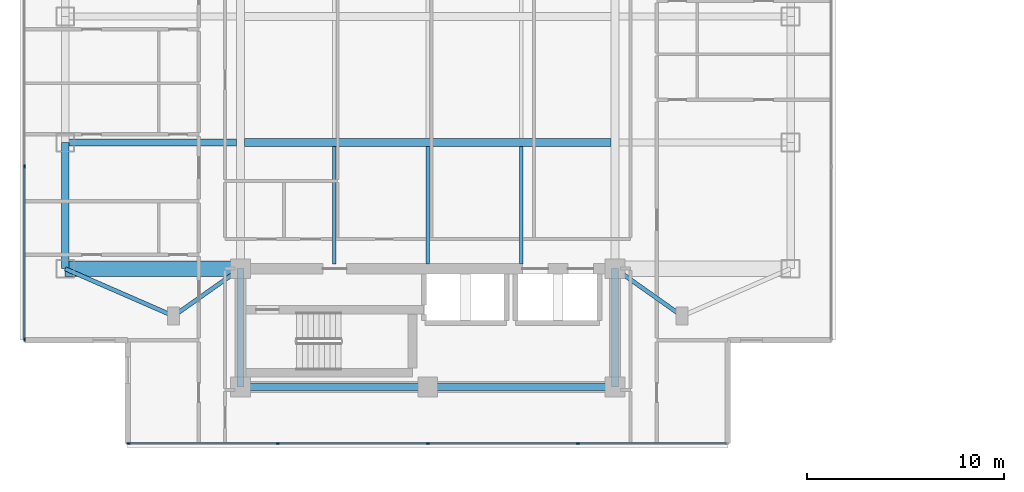
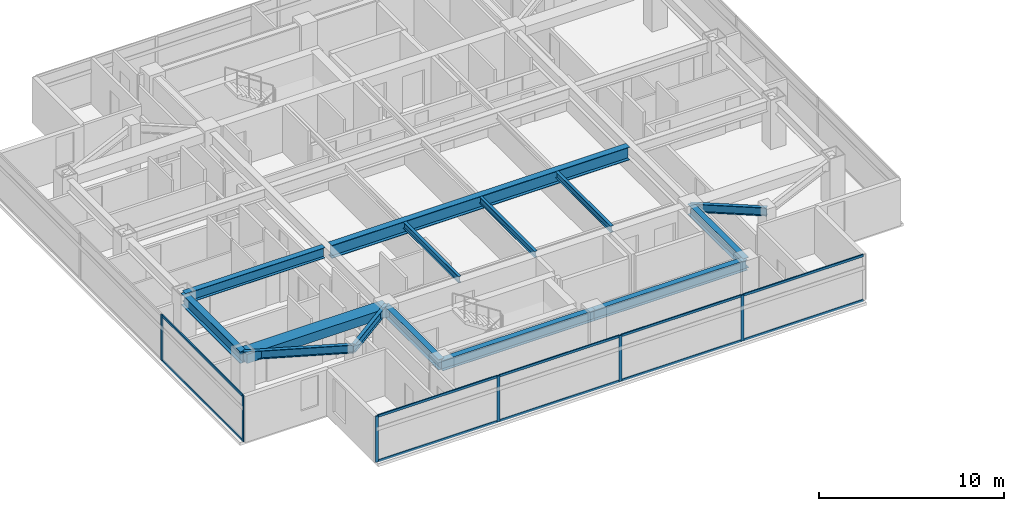
# One storey, part 2 of 24: 16 members, 14 beams, 2 elements without a shape of their own.
"""IFC4 building model written with IfcOpenShell, lengths in metres."""

from ifc_helpers import new_model, si_unit, direction, frame, origin, origin_2d, place, context, subcontext, project, spatial, rectangle, i_section, extrude, material, material_profile, profile_set, type_object, element, aggregate, save


model = new_model("IFC4")

# Units and contexts
model_context = context("Model", 3, precision=1e-05, world=origin(), true_north=direction((0.0, 1.0)))
body_context = subcontext(model_context, "Body", "Model", "MODEL_VIEW")
ifc_project = project(units=[si_unit("LENGTHUNIT", "METRE"), si_unit("AREAUNIT", "SQUARE_METRE"), si_unit("VOLUMEUNIT", "CUBIC_METRE"), si_unit("PLANEANGLEUNIT", "RADIAN"), si_unit("MASSUNIT", "GRAM", prefix="KILO")], contexts=[model_context])

# Site, building, storey
site_placement = place(None, origin())
site = spatial("IfcSite", under=ifc_project, at=site_placement, CompositionType="ELEMENT")
building_placement = place(site_placement, origin())
building = spatial("IfcBuilding", under=site, at=building_placement, Name="Mirazonda Arch Towers", CompositionType="ELEMENT")
storey_placement = place(building_placement, frame((0.0, 0.0, 164.14990234375)))
storey = spatial("IfcBuildingStorey", under=building, at=storey_placement, Name="L46", CompositionType="ELEMENT", Elevation=164.14990234375)

# Beams
ifc_material_1 = material(Name="Steel ASTM A992 Grade 50", Category="steel")
ifc_material_profile_1 = material_profile(ifc_material_1, i_section(OverallWidth=0.381103515625, OverallDepth=0.77294921875, WebThickness=0.0166015625, FlangeThickness=0.027099609375, at=origin_2d()), Name="W30X173")
ifc_profile_set_1 = profile_set([ifc_material_profile_1], Name="Steel ASTM A992 Grade 50")
beam_type_1 = type_object("IfcBeamType", Name="BM-EXT-W30X173", PredefinedType="USERDEFINED", material=ifc_profile_set_1)
beam_1_placement = place(storey_placement, frame((2.10009765625, 18.39990234375, 2.66357421875), z_axis=(0.0, 1.0, 0.0), x_axis=(-1.0, 0.0, 0.0)))
element("IfcBeam", 1, at=beam_1_placement, inside=storey, type_object=beam_type_1, Name="L46 Floor Beam BM-T1-L46-NS-W-18", ObjectType="GIRDER", PredefinedType="USERDEFINED", context=body_context, shape_type="SweptSolid", body=[
    extrude(i_section(OverallWidth=0.381103515625, OverallDepth=0.77294921875, WebThickness=0.0166015625, FlangeThickness=0.027099609375, at=origin_2d()), origin(), (0.0, 0.0, 1.0), 6.400146484375),
])
ifc_material_profile_2 = material_profile(ifc_material_1, i_section(OverallWidth=0.180908203125, OverallDepth=0.4169921875, WebThickness=0.010986328125, FlangeThickness=0.018310546875, at=origin_2d()), Name="W16X57")
ifc_profile_set_2 = profile_set([ifc_material_profile_2], Name="Steel ASTM A992 Grade 50")
beam_type_2 = type_object("IfcBeamType", Name="BM-INT-W16X57", PredefinedType="JOIST", material=ifc_profile_set_2)
for number, where, z_axis, x_axis, name in (
    (2, (15.75, 18.639892578125, 2.841552734375), (0.0, 1.0, 0.0), (-1.0, 0.0, 0.0), "L46 Floor Beam BM-T1-L46-J-157-18"),
    (3, (20.5, 18.639892578125, 2.841552734375), (0.0, 1.0, 0.0), (-1.0, 0.0, 0.0), "L46 Floor Beam BM-T1-L46-J-205-18"),
    (4, (25.25, 18.639892578125, 2.841552734375), (0.0, 1.0, 0.0), (-1.0, 0.0, 0.0), "L46 Floor Beam BM-T1-L46-J-252-18"),
):
    element("IfcBeam", number, at=place(storey_placement, frame(where, z_axis=z_axis, x_axis=x_axis)), inside=storey, type_object=beam_type_2, Name=name, PredefinedType="JOIST", context=body_context, shape_type="SweptSolid", body=[
        extrude(i_section(OverallWidth=0.180908203125, OverallDepth=0.4169921875, WebThickness=0.010986328125, FlangeThickness=0.018310546875, at=origin_2d()), origin(), (0.0, 0.0, 1.0), 5.964111328125),
    ])
ifc_material_profile_3 = material_profile(ifc_material_1, i_section(OverallWidth=0.214111328125, OverallDepth=0.549072265625, WebThickness=0.0146484375, FlangeThickness=0.023681640625, at=origin_2d()), Name="W21X93")
ifc_profile_set_3 = profile_set([ifc_material_profile_3], Name="Steel ASTM A992 Grade 50")
beam_type_3 = type_object("IfcBeamType", Name="BM-INT-W21X93", PredefinedType="BEAM", material=ifc_profile_set_3)
beam_2_placement = place(storey_placement, frame((7.60009765625, 16.0, 2.775634765625), z_axis=(0.816971114901, 0.576678591087, 0.0), x_axis=(-0.576678591087, 0.816971114901, 0.0)))
element("IfcBeam", 5, at=beam_2_placement, inside=storey, type_object=beam_type_3, Name="L46 Floor Beam BM-T1-L46-PL-SW1", PredefinedType="BEAM", context=body_context, shape_type="SweptSolid", body=[
    extrude(i_section(OverallWidth=0.214111328125, OverallDepth=0.549072265625, WebThickness=0.0146484375, FlangeThickness=0.023681640625, at=origin_2d()), origin(), (0.0, 0.0, 1.0), 4.16162109375),
])
beam_3_placement = place(storey_placement, frame((7.60009765625, 16.0, 2.775634765625), z_axis=(-0.916545343703, 0.399930785183, 0.0), x_axis=(-0.399930785183, -0.916545343703, 0.0)))
element("IfcBeam", 6, at=beam_3_placement, inside=storey, type_object=beam_type_3, Name="L46 Floor Beam BM-T1-L46-PL-SW2", PredefinedType="BEAM", context=body_context, shape_type="SweptSolid", body=[
    extrude(i_section(OverallWidth=0.214111328125, OverallDepth=0.549072265625, WebThickness=0.0146484375, FlangeThickness=0.023681640625, at=origin_2d()), origin(), (0.0, 0.0, 1.0), 6.000732421875),
])
beam_4_placement = place(storey_placement, frame((33.39990234375, 16.0, 2.775634765625), z_axis=(-0.816971114901, 0.576678591087, 0.0), x_axis=(-0.576678591087, -0.816971114901, 0.0)))
element("IfcBeam", 7, at=beam_4_placement, inside=storey, type_object=beam_type_3, Name="L46 Floor Beam BM-T1-L46-PL-SE1", PredefinedType="BEAM", context=body_context, shape_type="SweptSolid", body=[
    extrude(i_section(OverallWidth=0.214111328125, OverallDepth=0.549072265625, WebThickness=0.0146484375, FlangeThickness=0.023681640625, at=origin_2d()), origin(), (0.0, 0.0, 1.0), 4.16162109375),
])
ifc_material_profile_4 = material_profile(ifc_material_1, i_section(OverallWidth=0.35498046875, OverallDepth=0.696044921875, WebThickness=0.015380859375, FlangeThickness=0.02490234375, at=origin_2d()), Name="W27X146")
ifc_profile_set_4 = profile_set([ifc_material_profile_4], Name="Steel ASTM A992 Grade 50")
beam_type_4 = type_object("IfcBeamType", Name="BM-INT-W27X146", PredefinedType="BEAM", material=ifc_profile_set_4)
beam_5_placement = place(storey_placement, frame((2.10009765625, 24.800048828125, 2.7021484375), z_axis=(1.0, 0.0, 0.0), x_axis=(0.0, 1.0, 0.0)))
element("IfcBeam", 8, at=beam_5_placement, inside=storey, type_object=beam_type_4, Name="L46 Floor Beam BM-T1-L46-GW2", PredefinedType="BEAM", context=body_context, shape_type="SweptSolid", body=[
    extrude(i_section(OverallWidth=0.35498046875, OverallDepth=0.696044921875, WebThickness=0.015380859375, FlangeThickness=0.02490234375, at=origin_2d()), origin(), (0.0, 0.0, 1.0), 8.699951171875),
])
for number, where, z_axis, x_axis, name in (
    (9, (11.0, 12.39990234375, 2.7021484375), (1.0, 0.0, 0.0), (0.0, 1.0, 0.0), "L46 Floor Beam BM-T1-L46-CS1"),
    (10, (20.5, 12.39990234375, 2.7021484375), (1.0, 0.0, 0.0), (0.0, 1.0, 0.0), "L46 Floor Beam BM-T1-L46-CS2"),
):
    element("IfcBeam", number, at=place(storey_placement, frame(where, z_axis=z_axis, x_axis=x_axis)), inside=storey, type_object=beam_type_4, Name=name, PredefinedType="BEAM", context=body_context, shape_type="SweptSolid", body=[
        extrude(i_section(OverallWidth=0.35498046875, OverallDepth=0.696044921875, WebThickness=0.015380859375, FlangeThickness=0.02490234375, at=origin_2d()), origin(), (0.0, 0.0, 1.0), 9.5),
    ])
for number, where, z_axis, x_axis, name in (
    (11, (11.0, 12.39990234375, 2.7021484375), (0.0, 1.0, 0.0), (-1.0, 0.0, 0.0), "L46 Floor Beam BM-T1-L46-CSW"),
    (12, (30.0, 12.39990234375, 2.7021484375), (0.0, 1.0, 0.0), (-1.0, 0.0, 0.0), "L46 Floor Beam BM-T1-L46-CSE"),
):
    element("IfcBeam", number, at=place(storey_placement, frame(where, z_axis=z_axis, x_axis=x_axis)), inside=storey, type_object=beam_type_4, Name=name, PredefinedType="BEAM", context=body_context, shape_type="SweptSolid", body=[
        extrude(i_section(OverallWidth=0.35498046875, OverallDepth=0.696044921875, WebThickness=0.015380859375, FlangeThickness=0.02490234375, at=origin_2d()), origin(), (0.0, 0.0, 1.0), 6.0),
    ])
ifc_material_profile_5 = material_profile(ifc_material_1, i_section(OverallWidth=0.39990234375, OverallDepth=0.85595703125, WebThickness=0.018310546875, FlangeThickness=0.029296875, at=origin_2d()), Name="W33X201")
ifc_profile_set_5 = profile_set([ifc_material_profile_5], Name="Steel ASTM A992 Grade 50")
beam_type_5 = type_object("IfcBeamType", Name="BM-INT-W33X201", PredefinedType="USERDEFINED", material=ifc_profile_set_5)
beam_6_placement = place(storey_placement, frame((11.199951171875, 24.800048828125, 2.6220703125), z_axis=(1.0, 0.0, 0.0), x_axis=(0.0, 1.0, 0.0)))
element("IfcBeam", 13, at=beam_6_placement, inside=storey, type_object=beam_type_5, Name="L46 Floor Beam BM-T1-L46-GC2", ObjectType="GIRDER", PredefinedType="USERDEFINED", context=body_context, shape_type="SweptSolid", body=[
    extrude(i_section(OverallWidth=0.39990234375, OverallDepth=0.85595703125, WebThickness=0.018310546875, FlangeThickness=0.029296875, at=origin_2d()), origin(), (0.0, 0.0, 1.0), 18.60009765625),
])
ifc_material_2 = material(Name="Concrete C60/75", Category="concrete")
ifc_material_profile_6 = material_profile(ifc_material_2, rectangle(XDim=0.800048828125, YDim=0.60009765625, at=origin_2d()), Name="RCCB800x600")
ifc_profile_set_6 = profile_set([ifc_material_profile_6], Name="Concrete C60/75")
beam_type_6 = type_object("IfcBeamType", Name="CB-INT-RCCB800x600", PredefinedType="SPANDREL", material=ifc_profile_set_6)
beam_7_placement = place(storey_placement, frame((2.10009765625, 18.39990234375, 2.75), z_axis=(1.0, 0.0, 0.0), x_axis=(0.0, 1.0, 0.0)))
element("IfcBeam", 14, at=beam_7_placement, inside=storey, type_object=beam_type_6, Name="L46 Floor Beam CBC-T1-L46-SW", PredefinedType="SPANDREL", context=body_context, shape_type="SweptSolid", body=[
    extrude(rectangle(XDim=0.800048828125, YDim=0.60009765625, at=origin_2d()), origin(), (0.0, 0.0, 1.0), 8.89990234375),
])

# Curtain wall, members
ifc_material_3 = material(Name="Anodised Aluminium and Low-E Glass", Category="aluminium")
curtain_wall_type = type_object("IfcCurtainWallType", Name="CW-RES-UNIT", PredefinedType="NOTDEFINED", material=ifc_material_3)
curtain_wall_1_placement = place(storey_placement, origin())
curtain_wall_1 = element("IfcCurtainWall", 15, at=curtain_wall_1_placement, inside=storey, type_object=curtain_wall_type, Name="L46 T1 S Facade CW-L46-T1-S", PredefinedType="NOTDEFINED")
ifc_material_4 = material(Name="Anodised Aluminium Alloy", Category="aluminium")
ifc_material_profile_7 = material_profile(ifc_material_4, rectangle(XDim=0.074951171875, YDim=0.175048828125, at=origin_2d()), Name="ALU-MULL-75x175")
ifc_profile_set_7 = profile_set([ifc_material_profile_7], Name="Anodised Aluminium Alloy")
member_type_1 = type_object("IfcMemberType", Name="MULL-CW-RES-UNIT", PredefinedType="MULLION", material=ifc_profile_set_7)
member_1_placement = place(storey_placement, frame((28.112548828125, 9.535888671875, 0.0), z_axis=(0.0, 0.0, 1.0), x_axis=(0.0, -1.0, 0.0)))
member_1 = element("IfcMember", 16, at=member_1_placement, type_object=member_type_1, Name="CW-104 mullion 2", PredefinedType="MULLION", context=body_context, shape_type="SweptSolid", body=[
    extrude(rectangle(XDim=0.074951171875, YDim=0.175048828125, at=origin_2d()), origin(), (0.0, 0.0, 1.0), 3.030029296875),
])
member_2_placement = place(storey_placement, frame((20.5, 9.535888671875, 0.0), z_axis=(0.0, 0.0, 1.0), x_axis=(0.0, -1.0, 0.0)))
member_2 = element("IfcMember", 17, at=member_2_placement, type_object=member_type_1, Name="CW-104 mullion 3", PredefinedType="MULLION", context=body_context, shape_type="SweptSolid", body=[
    extrude(rectangle(XDim=0.074951171875, YDim=0.175048828125, at=origin_2d()), origin(), (0.0, 0.0, 1.0), 3.030029296875),
])
member_3_placement = place(storey_placement, frame((12.887451171875, 9.535888671875, 0.0), z_axis=(0.0, 0.0, 1.0), x_axis=(0.0, -1.0, 0.0)))
member_3 = element("IfcMember", 18, at=member_3_placement, type_object=member_type_1, Name="CW-104 mullion 4", PredefinedType="MULLION", context=body_context, shape_type="SweptSolid", body=[
    extrude(rectangle(XDim=0.074951171875, YDim=0.175048828125, at=origin_2d()), origin(), (0.0, 0.0, 1.0), 3.030029296875),
])
member_4_placement = place(storey_placement, frame((5.3125, 9.535888671875, 0.0), z_axis=(0.0, 0.0, 1.0), x_axis=(0.0, -1.0, 0.0)))
member_4 = element("IfcMember", 19, at=member_4_placement, type_object=member_type_1, Name="CW-104 mullion 5", PredefinedType="MULLION", context=body_context, shape_type="SweptSolid", body=[
    extrude(rectangle(XDim=0.074951171875, YDim=0.175048828125, at=origin_2d()), origin(), (0.0, 0.0, 1.0), 3.030029296875),
])

curtain_wall_2_placement = place(storey_placement, origin())
curtain_wall_2 = element("IfcCurtainWall", 20, at=curtain_wall_2_placement, inside=storey, type_object=curtain_wall_type, Name="L46 T1 W Facade CW-L46-T1-W", PredefinedType="NOTDEFINED")
member_5_placement = place(storey_placement, frame((0.030029296875, 23.59375, 0.0), z_axis=(0.0, 0.0, 1.0), x_axis=(1.0, 0.0, 0.0)))
member_5 = element("IfcMember", 21, at=member_5_placement, type_object=member_type_1, Name="CW-104 mullion 3", PredefinedType="MULLION", context=body_context, shape_type="SweptSolid", body=[
    extrude(rectangle(XDim=0.074951171875, YDim=0.175048828125, at=origin_2d()), origin(), (0.0, 0.0, 1.0), 3.030029296875),
])
member_6_placement = place(storey_placement, frame((0.030029296875, 14.818603515625, 0.0), z_axis=(0.0, 0.0, 1.0), x_axis=(1.0, 0.0, 0.0)))
member_6 = element("IfcMember", 22, at=member_6_placement, type_object=member_type_1, Name="CW-104 mullion 4", PredefinedType="MULLION", context=body_context, shape_type="SweptSolid", body=[
    extrude(rectangle(XDim=0.074951171875, YDim=0.175048828125, at=origin_2d()), origin(), (0.0, 0.0, 1.0), 3.030029296875),
])

# Member
ifc_material_profile_8 = material_profile(ifc_material_4, rectangle(XDim=0.074951171875, YDim=0.155029296875, at=origin_2d()), Name="ALU-TRAN-75x155")
ifc_profile_set_8 = profile_set([ifc_material_profile_8], Name="Anodised Aluminium Alloy")
member_type_2 = type_object("IfcMemberType", Name="TRAN-CW-RES-UNIT", PredefinedType="USERDEFINED", material=ifc_profile_set_8)
member_7_placement = place(storey_placement, frame((35.64990234375, 9.535888671875, 0.03759765625), z_axis=(-1.0, 0.0, 0.0), x_axis=(0.0, -1.0, 0.0)))
member_7 = element("IfcMember", 23, at=member_7_placement, type_object=member_type_2, Name="CW-104 transom 1.1", ObjectType="TRANSOM", PredefinedType="USERDEFINED", context=body_context, shape_type="SweptSolid", body=[
    extrude(rectangle(XDim=0.074951171875, YDim=0.155029296875, at=origin_2d()), origin(), (0.0, 0.0, 1.0), 7.5),
])

member_8_placement = place(storey_placement, frame((35.64990234375, 9.535888671875, 2.99267578125), z_axis=(-1.0, 0.0, 0.0), x_axis=(0.0, -1.0, 0.0)))
member_8 = element("IfcMember", 24, at=member_8_placement, type_object=member_type_2, Name="CW-104 transom 1.2", ObjectType="TRANSOM", PredefinedType="USERDEFINED", context=body_context, shape_type="SweptSolid", body=[
    extrude(rectangle(XDim=0.074951171875, YDim=0.155029296875, at=origin_2d()), origin(), (0.0, 0.0, 1.0), 7.5),
])

member_9_placement = place(storey_placement, frame((28.074951171875, 9.535888671875, 0.03759765625), z_axis=(-1.0, 0.0, 0.0), x_axis=(0.0, -1.0, 0.0)))
member_9 = element("IfcMember", 25, at=member_9_placement, type_object=member_type_2, Name="CW-104 transom 2.1", ObjectType="TRANSOM", PredefinedType="USERDEFINED", context=body_context, shape_type="SweptSolid", body=[
    extrude(rectangle(XDim=0.074951171875, YDim=0.155029296875, at=origin_2d()), origin(), (0.0, 0.0, 1.0), 7.537353515625),
])

member_10_placement = place(storey_placement, frame((28.074951171875, 9.535888671875, 2.99267578125), z_axis=(-1.0, 0.0, 0.0), x_axis=(0.0, -1.0, 0.0)))
member_10 = element("IfcMember", 26, at=member_10_placement, type_object=member_type_2, Name="CW-104 transom 2.2", ObjectType="TRANSOM", PredefinedType="USERDEFINED", context=body_context, shape_type="SweptSolid", body=[
    extrude(rectangle(XDim=0.074951171875, YDim=0.155029296875, at=origin_2d()), origin(), (0.0, 0.0, 1.0), 7.537353515625),
])

member_11_placement = place(storey_placement, frame((20.46240234375, 9.535888671875, 0.03759765625), z_axis=(-1.0, 0.0, 0.0), x_axis=(0.0, -1.0, 0.0)))
member_11 = element("IfcMember", 27, at=member_11_placement, type_object=member_type_2, Name="CW-104 transom 3.1", ObjectType="TRANSOM", PredefinedType="USERDEFINED", context=body_context, shape_type="SweptSolid", body=[
    extrude(rectangle(XDim=0.074951171875, YDim=0.155029296875, at=origin_2d()), origin(), (0.0, 0.0, 1.0), 7.537353515625),
])

member_12_placement = place(storey_placement, frame((20.46240234375, 9.535888671875, 2.99267578125), z_axis=(-1.0, 0.0, 0.0), x_axis=(0.0, -1.0, 0.0)))
member_12 = element("IfcMember", 28, at=member_12_placement, type_object=member_type_2, Name="CW-104 transom 3.2", ObjectType="TRANSOM", PredefinedType="USERDEFINED", context=body_context, shape_type="SweptSolid", body=[
    extrude(rectangle(XDim=0.074951171875, YDim=0.155029296875, at=origin_2d()), origin(), (0.0, 0.0, 1.0), 7.537353515625),
])

member_13_placement = place(storey_placement, frame((12.85009765625, 9.535888671875, 0.03759765625), z_axis=(-1.0, 0.0, 0.0), x_axis=(0.0, -1.0, 0.0)))
member_13 = element("IfcMember", 29, at=member_13_placement, type_object=member_type_2, Name="CW-104 transom 4.1", ObjectType="TRANSOM", PredefinedType="USERDEFINED", context=body_context, shape_type="SweptSolid", body=[
    extrude(rectangle(XDim=0.074951171875, YDim=0.155029296875, at=origin_2d()), origin(), (0.0, 0.0, 1.0), 7.5),
])

member_14_placement = place(storey_placement, frame((12.85009765625, 9.535888671875, 2.99267578125), z_axis=(-1.0, 0.0, 0.0), x_axis=(0.0, -1.0, 0.0)))
member_14 = element("IfcMember", 30, at=member_14_placement, type_object=member_type_2, Name="CW-104 transom 4.2", ObjectType="TRANSOM", PredefinedType="USERDEFINED", context=body_context, shape_type="SweptSolid", body=[
    extrude(rectangle(XDim=0.074951171875, YDim=0.155029296875, at=origin_2d()), origin(), (0.0, 0.0, 1.0), 7.5),
])

aggregate(curtain_wall_1, [member_1, member_2, member_3, member_4, member_7, member_8, member_9, member_10, member_11, member_12, member_13, member_14])

member_15_placement = place(storey_placement, frame((0.030029296875, 23.55615234375, 0.03759765625), z_axis=(0.0, -1.0, 0.0), x_axis=(1.0, 0.0, 0.0)))
member_15 = element("IfcMember", 31, at=member_15_placement, type_object=member_type_2, Name="CW-104 transom 3.1", ObjectType="TRANSOM", PredefinedType="USERDEFINED", context=body_context, shape_type="SweptSolid", body=[
    extrude(rectangle(XDim=0.074951171875, YDim=0.155029296875, at=origin_2d()), origin(), (0.0, 0.0, 1.0), 8.7001953125),
])

member_16_placement = place(storey_placement, frame((0.030029296875, 23.55615234375, 2.99267578125), z_axis=(0.0, -1.0, 0.0), x_axis=(1.0, 0.0, 0.0)))
member_16 = element("IfcMember", 32, at=member_16_placement, type_object=member_type_2, Name="CW-104 transom 3.2", ObjectType="TRANSOM", PredefinedType="USERDEFINED", context=body_context, shape_type="SweptSolid", body=[
    extrude(rectangle(XDim=0.074951171875, YDim=0.155029296875, at=origin_2d()), origin(), (0.0, 0.0, 1.0), 8.7001953125),
])

aggregate(curtain_wall_2, [member_5, member_6, member_15, member_16])

save(model, "model.ifc")
